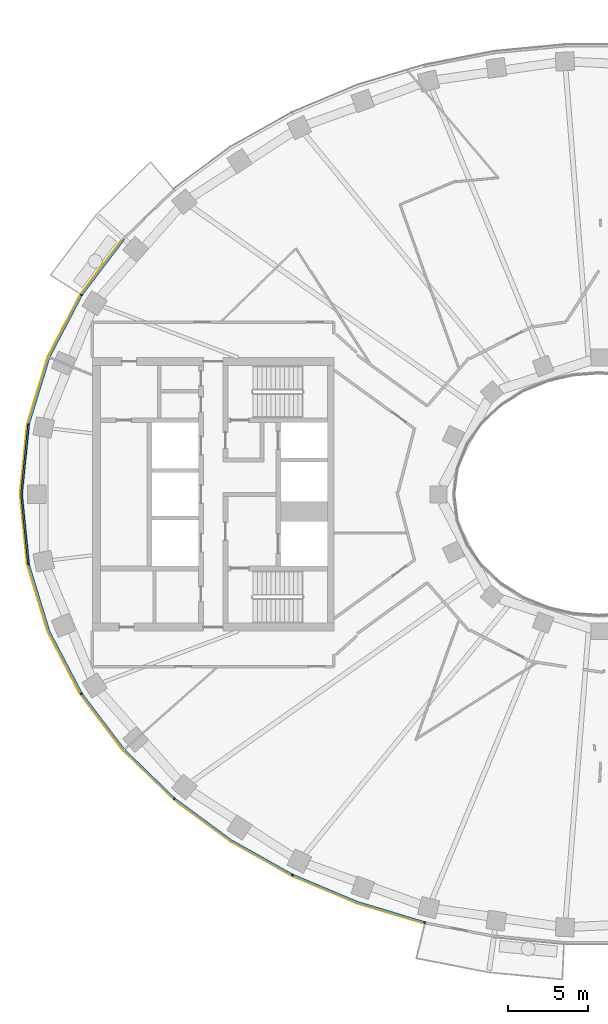
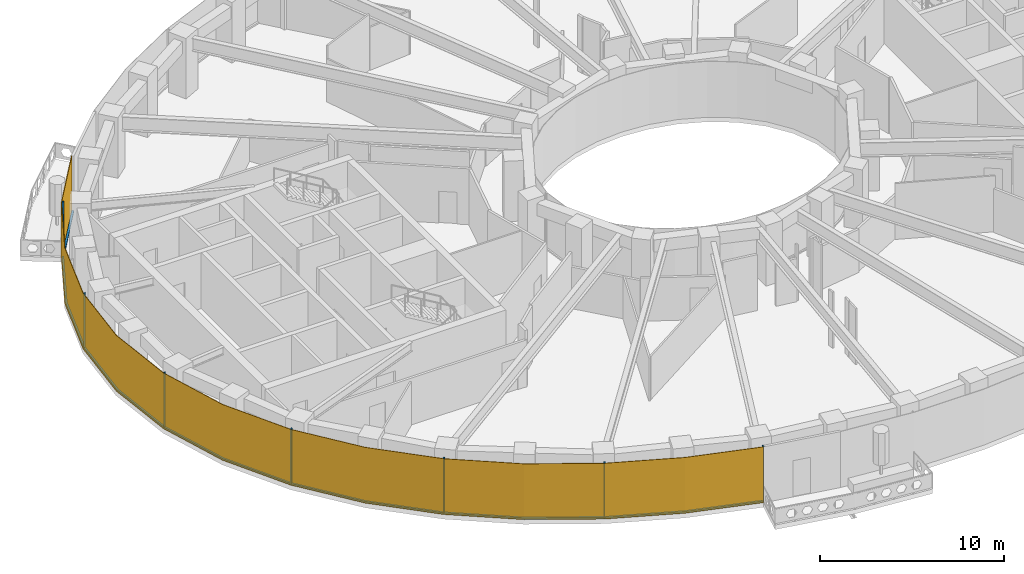
# One storey, part 9 of 17: 14 members, 1 curtain wall.
"""IFC4 building model written with IfcOpenShell, lengths in metres."""

from ifc_helpers import new_model, si_unit, direction, frame, origin, origin_2d, place, context, subcontext, project, spatial, polyline, rectangle, outline, extrude, material, layer, layer_set, material_profile, profile_set, type_object, element, aggregate, save


model = new_model("IFC4")

# Units and contexts
model_context = context("Model", 3, precision=1e-05, world=origin(), true_north=direction((0.0, 1.0)))
body_context = subcontext(model_context, "Body", "Model", "MODEL_VIEW")
ifc_project = project(units=[si_unit("LENGTHUNIT", "METRE"), si_unit("AREAUNIT", "SQUARE_METRE"), si_unit("VOLUMEUNIT", "CUBIC_METRE"), si_unit("PLANEANGLEUNIT", "RADIAN"), si_unit("MASSUNIT", "GRAM", prefix="KILO")], contexts=[model_context])

# Member
ifc_material_1 = material(Name="Aluminium 6063-T6 black anodised", Category="aluminium")
ifc_material_profile = material_profile(ifc_material_1, rectangle(XDim=0.1201171875, YDim=0.06005859375, at=origin_2d()), Name="120x60")
ifc_profile_set = profile_set([ifc_material_profile], Name="Aluminium 6063-T6 black anodised")
member_type_1 = type_object("IfcMemberType", Name="ENV-MULLION-A-120", PredefinedType="MULLION", material=ifc_profile_set)
site_placement = place(None, origin())
building_placement = place(site_placement, origin())
storey_placement = place(building_placement, frame((0.0, 0.0, 190.0)))
member_1_placement = place(storey_placement, frame((-32.177490234375, 12.385498046875, 0.0), z_axis=(0.0, 0.0, 1.0), x_axis=(0.844829880882, -0.53503501976, 0.0)))
member_1 = element("IfcMember", 1, at=member_1_placement, type_object=member_type_1, Name="Mullion A radial 21", PredefinedType="MULLION", context=body_context, shape_type="SweptSolid", body=[
    extrude(rectangle(XDim=0.1201171875, YDim=0.06005859375, at=origin_2d()), origin(), (0.0, 0.0, 1.0), 3.699951171875),
])

member_2_placement = place(storey_placement, frame((-35.470947265625, 4.340576171875, 0.0), z_axis=(0.0, 0.0, 1.0), x_axis=(0.980379083141, -0.19712141776, 0.0)))
member_2 = element("IfcMember", 2, at=member_2_placement, type_object=member_type_1, Name="Mullion A radial 23", PredefinedType="MULLION", context=body_context, shape_type="SweptSolid", body=[
    extrude(rectangle(XDim=0.1201171875, YDim=0.06005859375, at=origin_2d()), origin(), (0.0, 0.0, 1.0), 3.699951171875),
])

member_3_placement = place(storey_placement, frame((-35.470947265625, -4.340576171875, 0.0), z_axis=(0.0, 0.0, 1.0), x_axis=(0.980379083141, 0.19712141776, 0.0)))
member_3 = element("IfcMember", 3, at=member_3_placement, type_object=member_type_1, Name="Mullion A radial 25", PredefinedType="MULLION", context=body_context, shape_type="SweptSolid", body=[
    extrude(rectangle(XDim=0.1201171875, YDim=0.06005859375, at=origin_2d()), origin(), (0.0, 0.0, 1.0), 3.699951171875),
])

member_4_placement = place(storey_placement, frame((-32.177490234375, -12.385498046875, 0.0), z_axis=(0.0, 0.0, 1.0), x_axis=(0.844829880882, 0.53503501976, 0.0)))
member_4 = element("IfcMember", 4, at=member_4_placement, type_object=member_type_1, Name="Mullion A radial 27", PredefinedType="MULLION", context=body_context, shape_type="SweptSolid", body=[
    extrude(rectangle(XDim=0.1201171875, YDim=0.06005859375, at=origin_2d()), origin(), (0.0, 0.0, 1.0), 3.699951171875),
])

member_5_placement = place(storey_placement, frame((-26.403564453125, -18.9130859375, 0.0), z_axis=(0.0, 0.0, 1.0), x_axis=(0.646451313783, 0.762955240435, 0.0)))
member_5 = element("IfcMember", 5, at=member_5_placement, type_object=member_type_1, Name="Mullion A radial 29", PredefinedType="MULLION", context=body_context, shape_type="SweptSolid", body=[
    extrude(rectangle(XDim=0.1201171875, YDim=0.06005859375, at=origin_2d()), origin(), (0.0, 0.0, 1.0), 3.699951171875),
])

member_6_placement = place(storey_placement, frame((-19.06787109375, -23.6474609375, 0.0), z_axis=(0.0, 0.0, 1.0), x_axis=(0.439237769837, 0.898370848563, 0.0)))
member_6 = element("IfcMember", 6, at=member_6_placement, type_object=member_type_1, Name="Mullion A radial 31", PredefinedType="MULLION", context=body_context, shape_type="SweptSolid", body=[
    extrude(rectangle(XDim=0.1201171875, YDim=0.06005859375, at=origin_2d()), origin(), (0.0, 0.0, 1.0), 3.699951171875),
])

member_7_placement = place(storey_placement, frame((-10.84326171875, -26.60498046875, 0.0), z_axis=(0.0, 0.0, 1.0), x_axis=(0.239799081534, 0.970822538106, 0.0)))
member_7 = element("IfcMember", 7, at=member_7_placement, type_object=member_type_1, Name="Mullion A radial 33", PredefinedType="MULLION", context=body_context, shape_type="SweptSolid", body=[
    extrude(rectangle(XDim=0.1201171875, YDim=0.06005859375, at=origin_2d()), origin(), (0.0, 0.0, 1.0), 3.699951171875),
])

ifc_material_2 = material(Name="Aluminium 6063-T6 black anodised", Category="aluminium")
member_type_2 = type_object("IfcMemberType", Name="ENV-TRANSOM-A", PredefinedType="USERDEFINED", material=ifc_material_2)
member_8_placement = place(storey_placement, origin())
member_8 = element("IfcMember", 8, at=member_8_placement, type_object=member_type_2, Name="Transom A radial 20-21", ObjectType="TRANSOM", PredefinedType="USERDEFINED", context=body_context, shape_type="SweptSolid", body=[
    extrude(outline(polyline([(-29.595703125, 15.890869140625), (-32.211181640625, 12.43994140625), (-32.109375, 12.37548828125), (-29.505615234375, 15.811279296875), (-29.595703125, 15.890869140625)])), origin(), (0.0, 0.0, 1.0), 0.10009765625),
])

member_9_placement = place(storey_placement, origin())
member_9 = element("IfcMember", 9, at=member_9_placement, type_object=member_type_2, Name="Transom A radial 21-23", ObjectType="TRANSOM", PredefinedType="USERDEFINED", context=body_context, shape_type="SweptSolid", body=[
    extrude(outline(polyline([(-32.240966796875, 12.392578125), (-34.251220703125, 8.53662109375), (-35.521484375, 4.379150390625), (-35.4033203125, 4.355224609375), (-34.139892578125, 8.490966796875), (-32.139404296875, 12.328369140625), (-32.240966796875, 12.392578125)])), origin(), (0.0, 0.0, 1.0), 0.10009765625),
])

member_10_placement = place(storey_placement, origin())
member_10 = element("IfcMember", 10, at=member_10_placement, type_object=member_type_2, Name="Transom A radial 23-25", ObjectType="TRANSOM", PredefinedType="USERDEFINED", context=body_context, shape_type="SweptSolid", body=[
    extrude(outline(polyline([(-35.532470703125, 4.324462890625), (-35.9677734375, 0.0), (-35.532470703125, -4.324462890625), (-35.414306640625, -4.30078125), (-35.84716796875, 0.0), (-35.414306640625, 4.30078125), (-35.532470703125, 4.324462890625)])), origin(), (0.0, 0.0, 1.0), 0.10009765625),
])

member_11_placement = place(storey_placement, origin())
member_11 = element("IfcMember", 11, at=member_11_placement, type_object=member_type_2, Name="Transom A radial 25-27", ObjectType="TRANSOM", PredefinedType="USERDEFINED", context=body_context, shape_type="SweptSolid", body=[
    extrude(outline(polyline([(-35.521484375, -4.379150390625), (-34.251220703125, -8.53662109375), (-32.240966796875, -12.392578125), (-32.139404296875, -12.328369140625), (-34.139892578125, -8.490966796875), (-35.4033203125, -4.355224609375), (-35.521484375, -4.379150390625)])), origin(), (0.0, 0.0, 1.0), 0.10009765625),
])

member_12_placement = place(storey_placement, origin())
member_12 = element("IfcMember", 12, at=member_12_placement, type_object=member_type_2, Name="Transom A radial 27-29", ObjectType="TRANSOM", PredefinedType="USERDEFINED", context=body_context, shape_type="SweptSolid", body=[
    extrude(outline(polyline([(-32.211181640625, -12.43994140625), (-29.58349609375, -15.906982421875), (-26.46240234375, -18.939208984375), (-26.384765625, -18.847412109375), (-29.493408203125, -15.8271484375), (-32.109375, -12.37548828125), (-32.211181640625, -12.43994140625)])), origin(), (0.0, 0.0, 1.0), 0.10009765625),
])

member_13_placement = place(storey_placement, origin())
member_13 = element("IfcMember", 13, at=member_13_placement, type_object=member_type_2, Name="Transom A radial 29-31", ObjectType="TRANSOM", PredefinedType="USERDEFINED", context=body_context, shape_type="SweptSolid", body=[
    extrude(outline(polyline([(-26.419921875, -18.975341796875), (-22.9150390625, -21.556884765625), (-19.11865234375, -23.687744140625), (-19.06591796875, -23.57958984375), (-22.85009765625, -21.455810546875), (-26.342041015625, -18.883544921875), (-26.419921875, -18.975341796875)])), origin(), (0.0, 0.0, 1.0), 0.10009765625),
])

member_14_placement = place(storey_placement, origin())
member_14 = element("IfcMember", 14, at=member_14_placement, type_object=member_type_2, Name="Transom A radial 31-33", ObjectType="TRANSOM", PredefinedType="USERDEFINED", context=body_context, shape_type="SweptSolid", body=[
    extrude(outline(polyline([(-19.068359375, -23.71240234375), (-15.054443359375, -25.400146484375), (-10.884521484375, -26.655029296875), (-10.855712890625, -26.53857421875), (-15.013916015625, -25.287109375), (-19.015380859375, -23.604248046875), (-19.068359375, -23.71240234375)])), origin(), (0.0, 0.0, 1.0), 0.10009765625),
])

# Site, building, storey
site = spatial("IfcSite", under=ifc_project, at=site_placement, CompositionType="ELEMENT")
building = spatial("IfcBuilding", under=site, at=building_placement, Name="Noorbagh Ring Tower", CompositionType="ELEMENT")
storey = spatial("IfcBuildingStorey", under=building, at=storey_placement, Name="L44", CompositionType="ELEMENT", Elevation=190.0)

# Curtain wall
ifc_material_3 = material(Name="Glass dark tinted laminated", Category="glass")
ifc_layer = layer(ifc_material_3, 0.031982421875)
ifc_layer_set = layer_set([ifc_layer], Name="Glass dark tinted laminated")
curtain_wall_type = type_object("IfcCurtainWallType", Name="ENV-CW-A", PredefinedType="NOTDEFINED", material=ifc_layer_set)
curtain_wall_placement = place(storey_placement, origin())
curtain_wall = element("IfcCurtainWall", 15, at=curtain_wall_placement, inside=storey, type_object=curtain_wall_type, Name="Curtain wall A R20", PredefinedType="NOTDEFINED", context=body_context, shape_type="SweptSolid", body=[
    extrude(outline(polyline([(-29.61962890625, 15.912109375), (-32.255126953125, 12.434814453125), (-34.281005859375, 8.548828125), (-35.561279296875, 4.358642578125), (-36.0, 0.0), (-35.561279296875, -4.358642578125), (-34.281005859375, -8.548828125), (-32.255126953125, -12.434814453125), (-29.607666015625, -15.927978515625), (-26.463134765625, -18.9833984375), (-22.9326171875, -21.583740234375), (-19.108154296875, -23.730224609375), (-15.065185546875, -25.430419921875), (-10.884521484375, -26.6884765625), (-10.876708984375, -26.657470703125), (-15.054443359375, -25.400146484375), (-19.093994140625, -23.701416015625), (-22.9150390625, -21.556884765625), (-26.4423828125, -18.958740234375), (-29.58349609375, -15.906982421875), (-32.22802734375, -12.41748046875), (-34.251220703125, -8.53662109375), (-35.529541015625, -4.352294921875), (-35.9677734375, 0.0), (-35.529541015625, 4.352294921875), (-34.251220703125, 8.53662109375), (-32.22802734375, 12.41748046875), (-29.595703125, 15.890869140625), (-29.61962890625, 15.912109375)])), origin(), (0.0, 0.0, 1.0), 3.699951171875),
])

aggregate(curtain_wall, [member_1, member_2, member_3, member_4, member_5, member_6, member_7, member_8, member_9, member_10, member_11, member_12, member_13, member_14])

save(model, "model.ifc")
